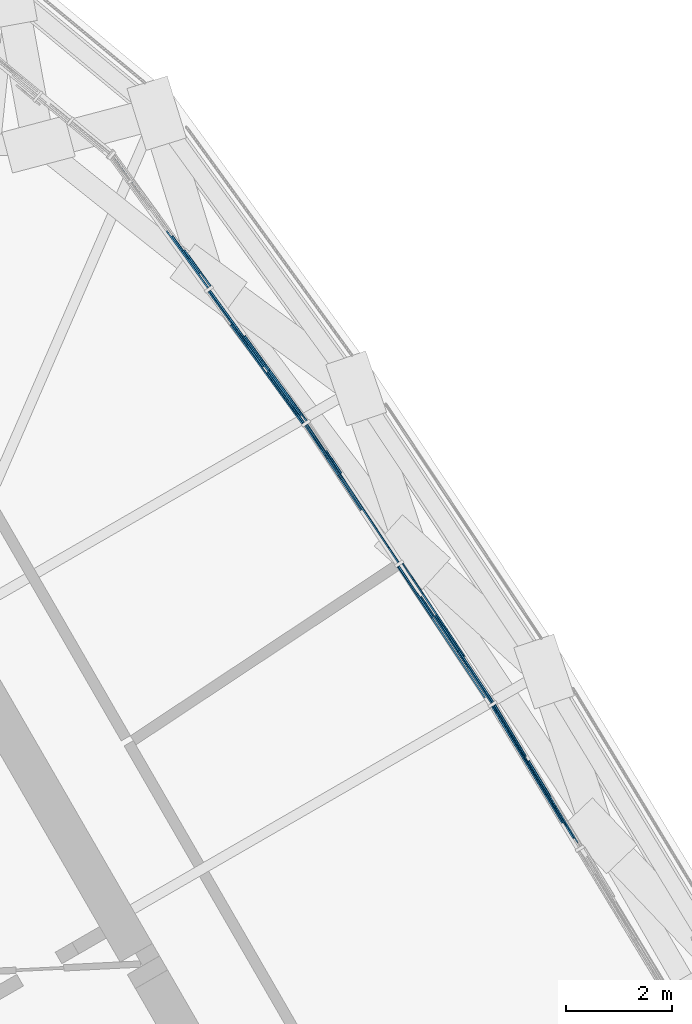
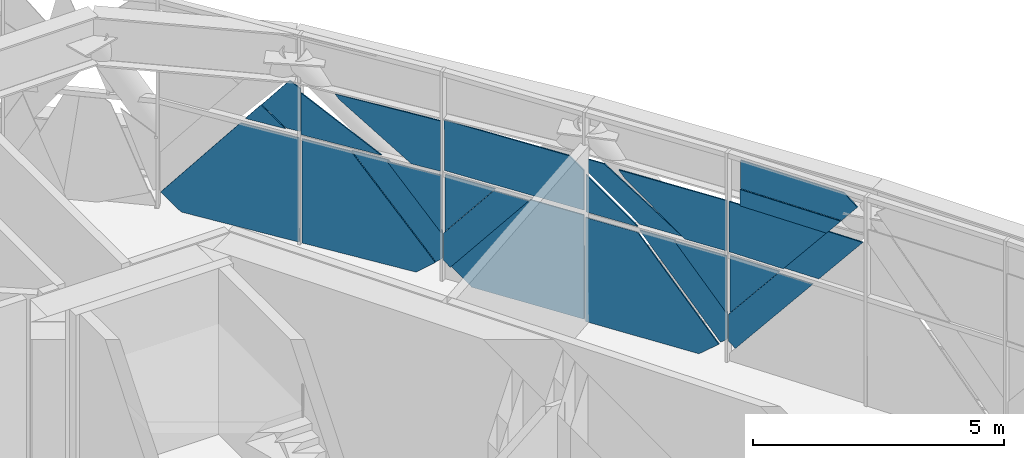
# One storey, part 15 of 33: 24 plates, 1 element without a shape of its own.
"""IFC4 building model written with IfcOpenShell, lengths in metres."""

from ifc_helpers import new_model, si_unit, direction, frame, origin, place, context, subcontext, project, spatial, polyline, outline, extrude, material, layer, layer_set, type_object, element, aggregate, save


model = new_model("IFC4")

# Units and contexts
model_context = context("Model", 3, precision=1e-05, world=origin(), true_north=direction((0.0, 1.0)))
body_context = subcontext(model_context, "Body", "Model", "MODEL_VIEW")
ifc_project = project(units=[si_unit("LENGTHUNIT", "METRE"), si_unit("AREAUNIT", "SQUARE_METRE"), si_unit("VOLUMEUNIT", "CUBIC_METRE"), si_unit("PLANEANGLEUNIT", "RADIAN"), si_unit("MASSUNIT", "GRAM", prefix="KILO")], contexts=[model_context])

# Site, building, storey
site_placement = place(None, origin())
site = spatial("IfcSite", under=ifc_project, at=site_placement, CompositionType="ELEMENT")
building_placement = place(site_placement, origin())
building = spatial("IfcBuilding", under=site, at=building_placement, Name="Mestral Congress Tower", CompositionType="ELEMENT")
storey_placement = place(building_placement, frame((0.0, 0.0, 256.199951171875)))
storey = spatial("IfcBuildingStorey", under=building, at=storey_placement, Name="L60", CompositionType="ELEMENT", Elevation=256.199951171875)

# Curtain wall, plates
ifc_material_1 = material(Name="Clear low-emissivity double glazing", Category="glass")
curtain_wall_type = type_object("IfcCurtainWallType", Name="Facade refuge band screen", PredefinedType="USERDEFINED", material=ifc_material_1)
curtain_wall_placement = place(storey_placement, origin())
curtain_wall = element("IfcCurtainWall", 1, at=curtain_wall_placement, inside=storey, type_object=curtain_wall_type, Name="Facade refuge band screen face 2", ObjectType="CURTAIN WALL", PredefinedType="USERDEFINED")
ifc_material_2 = material(Name="Anodised aluminium", Category="aluminium")
ifc_layer_1 = layer(ifc_material_2, 0.028076171875)
ifc_layer_set_1 = layer_set([ifc_layer_1], Name="Anodised aluminium")
plate_type_1 = type_object("IfcPlateType", Name="Facade refuge band screen brace cover panel", PredefinedType="CURTAIN_PANEL", material=ifc_layer_set_1)
plate_1_placement = place(storey_placement, frame((12.543701171875, 14.5400390625, 0.500732421875), z_axis=(0.855468885402, 0.517850307281, 0.002011307478), x_axis=(0.402388466371, -0.662275528447, -0.632040067204)))
plate_1 = element("IfcPlate", 2, at=plate_1_placement, type_object=plate_type_1, Name="Facade refuge band screen brace cover panel", PredefinedType="CURTAIN_PANEL", context=body_context, shape_type="SweptSolid", body=[
    extrude(outline(polyline([(0.0, 0.0), (0.20202131446251004, 0.0), (0.20353723412050861, -2.7975965706760926), (-0.40976849718347963, -2.297380961889893), (-0.41067221342230564, -0.5037091135801858), (0.0, 0.0)])), origin(), (0.0, 0.0, -1.0), 0.028076171875),
])
plate_2_placement = place(storey_placement, frame((13.64306640625, 12.839599609375, 2.66015625), z_axis=(0.855415667491, 0.517938299934, 0.001988283566), x_axis=(0.326330889631, -0.541934120156, 0.774477604508)))
plate_2 = element("IfcPlate", 3, at=plate_2_placement, type_object=plate_type_1, Name="Facade refuge band screen brace cover panel", PredefinedType="CURTAIN_PANEL", context=body_context, shape_type="SweptSolid", body=[
    extrude(outline(polyline([(0.0, 0.0), (1.5853049797422651, 0.0), (1.0846475386091394, -0.6129451105811656), (-0.5006574411331257, -0.6129451105811657), (0.0, 0.0)])), origin(), (0.0, 0.0, -1.0), 0.028076171875),
])
plate_3_placement = place(storey_placement, frame((11.4775390625, 16.25390625, 2.5400390625), z_axis=(0.833299542627, 0.552817658988, 0.002123244836), x_axis=(0.355005537149, -0.53217185776, -0.76861185419)))
plate_3 = element("IfcPlate", 4, at=plate_3_placement, type_object=plate_type_1, Name="Facade refuge band screen brace cover panel", PredefinedType="CURTAIN_PANEL", context=body_context, shape_type="SweptSolid", body=[
    extrude(outline(polyline([(0.0, 0.0), (2.8272990812358643, 0.0), (2.827284346185704, -0.194619273714008), (2.3271551705192346, -0.6107904293610096), (0.5082775975526703, -0.6106940634626287), (0.0, 0.0)])), origin(), (0.0, 0.0, -1.0), 0.028076171875),
])
plate_4_placement = place(storey_placement, frame((10.78564453125, 17.18408203125, 2.66015625), z_axis=(0.833217558512, 0.552941941417, 0.001926034486), x_axis=(0.552942967019, -0.833219103972, 0.0)))
plate_4 = element("IfcPlate", 5, at=plate_4_placement, type_object=plate_type_1, Name="Facade refuge band screen brace cover panel", PredefinedType="CURTAIN_PANEL", context=body_context, shape_type="SweptSolid", body=[
    extrude(outline(polyline([(0.0, 0.0), (1.155041140034202, -2.168404344971009e-19), (3.7154818777285513e-06, -0.9140641954118832), (0.0, 0.0)])), origin(), (0.0, 0.0, -1.0), 0.028076171875),
])
plate_5_placement = place(storey_placement, frame((10.858642578125, 17.232421875, 3.887939453125), z_axis=(0.833310518266, 0.552801054143, 0.002138851483), x_axis=(0.001540983078, 0.001546178273, -0.999997617349)))
plate_5 = element("IfcPlate", 6, at=plate_5_placement, type_object=plate_type_1, Name="Facade refuge band screen brace cover panel", PredefinedType="CURTAIN_PANEL", context=body_context, shape_type="SweptSolid", body=[
    extrude(outline(polyline([(0.0, 0.0), (0.3137214630410916, 0.0), (1.2272816893463578, -1.1554360728155078), (1.2268675063393875, -2.1040895493787413), (-0.00015731374125679126, -0.36036641437156613), (0.0, 0.0)])), origin(), (0.0, 0.0, -1.0), 0.028076171875),
])
plate_6_placement = place(storey_placement, frame((11.285888671875, 16.484130859375, 3.710693359375), z_axis=(0.833214105474, 0.552947111987, 0.001935403091), x_axis=(0.434609263748, -0.65272350804, -0.620537516929)))
plate_6 = element("IfcPlate", 7, at=plate_6_placement, type_object=plate_type_1, Name="Facade refuge band screen brace cover panel", PredefinedType="CURTAIN_PANEL", context=body_context, shape_type="SweptSolid", body=[
    extrude(outline(polyline([(0.0, 0.0), (1.6929472299001196, -2.220446049250313e-16), (2.4210878740997086, -0.5761965998114164), (1.6593096256386812, -1.5390836392813467), (-0.22568951786867109, -0.047434713515503726), (0.0, 0.0)])), origin(), (0.0, 0.0, -1.0), 0.028076171875),
])
plate_7_placement = place(storey_placement, frame((9.026611328125, 19.828369140625, 0.492919921875), z_axis=(0.833285459887, 0.552839737668, 0.001888596155), x_axis=(0.430891195353, -0.647326751817, -0.628729555651)))
plate_7 = element("IfcPlate", 8, at=plate_7_placement, type_object=plate_type_1, Name="Facade refuge band screen brace cover panel", PredefinedType="CURTAIN_PANEL", context=body_context, shape_type="SweptSolid", body=[
    extrude(outline(polyline([(0.0, 0.0), (0.19609538333516058, 0.0), (0.19562666558929598, -2.7907085649125616), (-0.41443285694793963, -2.297457538025765), (-0.4143441275449623, -0.5123641223830636), (0.0, 0.0)])), origin(), (0.0, 0.0, -1.0), 0.028076171875),
])
plate_8_placement = place(storey_placement, frame((9.05810546875, 19.84912109375, 2.66015625), z_axis=(0.833252884148, 0.5528887247, 0.001920718273), x_axis=(0.55288974442, -0.833254421239, 8.1151e-08)))
plate_8 = element("IfcPlate", 9, at=plate_8_placement, type_object=plate_type_1, Name="Facade refuge band screen brace cover panel", PredefinedType="CURTAIN_PANEL", context=body_context, shape_type="SweptSolid", body=[
    extrude(outline(polyline([(0.0, 0.0), (3.1159303726830183, 0.0), (3.115934278638139, -0.9614273892827793), (2.7792683236128006, -1.2277852329378873), (-0.0001975897177254701, -1.2277857513226902), (0.0, 0.0)])), origin(), (0.0, 0.0, -1.0), 0.028076171875),
])
plate_9_placement = place(storey_placement, frame((7.885498046875, 21.519775390625, 2.5400390625), z_axis=(0.809563093228, 0.587029666498, 0.00194132285), x_axis=(0.379200325234, -0.520418827211, -0.765095652599)))
plate_9 = element("IfcPlate", 10, at=plate_9_placement, type_object=plate_type_1, Name="Facade refuge band screen brace cover panel", PredefinedType="CURTAIN_PANEL", context=body_context, shape_type="SweptSolid", body=[
    extrude(outline(polyline([(0.0, 0.0), (2.856248254282847, -4.440892098500626e-16), (2.8563482671558518, -0.1843868385891032), (2.3454859247049895, -0.6143604487237234), (0.516989928238058, -0.614284888617695), (0.0, 0.0)])), origin(), (0.0, 0.0, -1.0), 0.028076171875),
])
plate_10_placement = place(storey_placement, frame((8.234619140625, 20.935546875, 2.66015625), z_axis=(0.809636831507, 0.586927508682, 0.002073793482), x_axis=(-0.50905098903, 0.700442583343, 0.500247216891)))
plate_10 = element("IfcPlate", 11, at=plate_10_placement, type_object=plate_type_1, Name="Facade refuge band screen brace cover panel", PredefinedType="CURTAIN_PANEL", context=body_context, shape_type="SweptSolid", body=[
    extrude(outline(polyline([(0.0, 0.0), (2.0243896983438368, -1.1102230246251565e-16), (1.5177767589708457, -0.8768691671868982), (0.0, 0.0)])), origin(), (0.0, 0.0, -1.0), 0.028076171875),
])
plate_11_placement = place(storey_placement, frame((7.67724609375, 21.6494140625, 3.775634765625), z_axis=(0.809565598887, 0.587025913227, 0.00202935916), x_axis=(0.479753272824, -0.659626148622, -0.578558675735)))
plate_11 = element("IfcPlate", 12, at=plate_11_placement, type_object=plate_type_1, Name="Facade refuge band screen brace cover panel", PredefinedType="CURTAIN_PANEL", context=body_context, shape_type="SweptSolid", body=[
    extrude(outline(polyline([(0.0, 0.0), (1.9280303584808216, -1.1102230246251565e-16), (2.445759005253223, -0.3672419095180901), (1.7354436122938242, -1.368695649993462), (-0.1420858695216715, -0.03690316130063921), (0.0, 0.0)])), origin(), (0.0, 0.0, -1.0), 0.028076171875),
])
ifc_layer_2 = layer(ifc_material_1, 0.028076171875)
ifc_layer_set_2 = layer_set([ifc_layer_2], Name="Clear low-emissivity double glazing")
plate_type_2 = type_object("IfcPlateType", Name="Facade refuge band screen panel", PredefinedType="CURTAIN_PANEL", material=ifc_layer_set_2)
plate_12_placement = place(storey_placement, frame((12.59521484375, 14.571044921875, 2.5400390625), z_axis=(0.855491010006, 0.517814181151, 0.001898841008), x_axis=(0.001581441529, 0.001054294353, -0.999998193751)))
plate_12 = element("IfcPlate", 13, at=plate_12_placement, type_object=plate_type_2, Name="Refuge screen glass unit", PredefinedType="CURTAIN_PANEL", context=body_context, shape_type="SweptSolid", body=[
    extrude(outline(polyline([(0.0, 0.0), (1.3894068064890688, -2.439454888092385e-19), (-9.420696610628547e-05, -1.1343862415078019), (0.0, 0.0)])), origin(), (0.0, 0.0, -1.0), 0.028076171875),
])
plate_13_placement = place(storey_placement, frame((13.205810546875, 13.5, 2.66015625), z_axis=(0.855434338982, 0.517907407206, 0.002002311368), x_axis=(0.326236143186, -0.541843094618, 0.774581202776)))
plate_13 = element("IfcPlate", 14, at=plate_13_placement, type_object=plate_type_2, Name="Refuge screen glass unit", PredefinedType="CURTAIN_PANEL", context=body_context, shape_type="SweptSolid", body=[
    extrude(outline(polyline([(0.0, 0.0), (1.5850930241441819, -1.1102230246251565e-16), (0.17155327101927775, -1.731147731564283), (-0.7796210547087906, -0.954794103649633), (0.0, 0.0)])), origin(), (0.0, 0.0, -1.0), 0.028076171875),
])
plate_14_placement = place(storey_placement, frame((12.67529296875, 14.313720703125, 3.887939453125), z_axis=(0.855467986296, 0.517850904559, 0.002228243671), x_axis=(0.517852190173, -0.855470110017, -1.3779e-08)))
plate_14 = element("IfcPlate", 15, at=plate_14_placement, type_object=plate_type_2, Name="Refuge screen glass unit", PredefinedType="CURTAIN_PANEL", context=body_context, shape_type="SweptSolid", body=[
    extrude(outline(polyline([(0.0, 0.0), (1.9734631540121752, 6.505213034913027e-19), (2.3002556844871243, -0.40014750945169747), (3.841822892629731e-05, -0.40014745056437384), (0.0, 0.0)])), origin(), (0.0, 0.0, -1.0), 0.028076171875),
])
plate_15_placement = place(storey_placement, frame((12.70068359375, 14.3291015625, 4.97998046875), z_axis=(0.855474400363, 0.517841076852, 0.002041922404), x_axis=(0.001750978856, 0.001050516431, -0.999997915242)))
plate_15 = element("IfcPlate", 16, at=plate_15_placement, type_object=plate_type_2, Name="Refuge screen glass unit", PredefinedType="CURTAIN_PANEL", context=body_context, shape_type="SweptSolid", body=[
    extrude(outline(polyline([(0.0, 0.0), (0.6918959956638914, -1.5246593050577406e-19), (0.6919145170018856, -2.30021726616855), (0.25295155062446795, -2.658666974544822), (1.8951764949900855e-05, -2.3487447791929745), (0.0, 0.0)])), origin(), (0.0, 0.0, -1.0), 0.028076171875),
])
plate_16_placement = place(storey_placement, frame((10.767578125, 17.172119140625, 2.5400390625), z_axis=(0.833272770343, 0.552858302501, 0.002046353079), x_axis=(0.001717533536, 0.001112717062, -0.999997905967)))
plate_16 = element("IfcPlate", 17, at=plate_16_placement, type_object=plate_type_2, Name="Refuge screen glass unit", PredefinedType="CURTAIN_PANEL", context=body_context, shape_type="SweptSolid", body=[
    extrude(outline(polyline([(0.0, 0.0), (2.540043860264449, 4.946672411965114e-19), (2.540100936307565, -2.5254758676923363), (2.1731661776619378, -2.966362942278026), (2.5710519471531298e-05, -1.1575469366668578), (0.0, 0.0)])), origin(), (0.0, 0.0, -1.0), 0.028076171875),
])
plate_17_placement = place(storey_placement, frame((12.535400390625, 14.605712890625, 2.5400390625), z_axis=(0.83314463468, 0.553051940825, 0.001889034816), x_axis=(-0.553052927598, 0.833146121203, 0.0)))
plate_17 = element("IfcPlate", 18, at=plate_17_placement, type_object=plate_type_2, Name="Refuge screen glass unit", PredefinedType="CURTAIN_PANEL", context=body_context, shape_type="SweptSolid", body=[
    extrude(outline(polyline([(0.0, 0.0), (1.1636403233507502, 2.168404344971009e-19), (5.224701864561766e-06, -1.3979517130143935), (0.0, 0.0)])), origin(), (0.0, 0.0, -1.0), 0.028076171875),
])
plate_18_placement = place(storey_placement, frame((9.083251953125, 19.865966796875, 2.5400390625), z_axis=(0.833285178604, 0.552840114578, 0.001902322774), x_axis=(0.001582832169, 0.001055221446, -0.999998190573)))
plate_18 = element("IfcPlate", 19, at=plate_18_placement, type_object=plate_type_2, Name="Refuge screen glass unit", PredefinedType="CURTAIN_PANEL", context=body_context, shape_type="SweptSolid", body=[
    extrude(outline(polyline([(0.0, 0.0), (1.3881861055709008, -1.9905274260476058e-19), (-4.766014832966034e-06, -1.1221331254160654), (0.0, 0.0)])), origin(), (0.0, 0.0, -1.0), 0.028076171875),
])
plate_19_placement = place(storey_placement, frame((9.3994140625, 19.343994140625, 0.0), z_axis=(0.833239090981, 0.55290940581, 0.001950955928), x_axis=(0.552910458196, -0.833240676646, -8.1902e-08)))
plate_19 = element("IfcPlate", 20, at=plate_19_placement, type_object=plate_type_2, Name="Refuge screen glass unit", PredefinedType="CURTAIN_PANEL", context=body_context, shape_type="SweptSolid", body=[
    extrude(outline(polyline([(0.0, 0.0), (2.5061101728695623, 0.0), (2.506256305246975, -2.5400441357283348), (1.2971124802814749, -2.5400438230783515), (-0.45726157092255626, -0.36962955446451895), (0.0, 0.0)])), origin(), (0.0, 0.0, -1.0), 0.028076171875),
])
plate_20_placement = place(storey_placement, frame((7.230224609375, 22.372314453125, 2.5400390625), z_axis=(0.809590117815, 0.586992046534, 0.00204412384), x_axis=(0.001624111521, 0.00124235913, -0.999997909401)))
plate_20 = element("IfcPlate", 21, at=plate_20_placement, type_object=plate_type_2, Name="Refuge screen glass unit", PredefinedType="CURTAIN_PANEL", context=body_context, shape_type="SweptSolid", body=[
    extrude(outline(polyline([(0.0, 0.0), (2.540044436027425, -5.963111948670274e-19), (2.539913566832151, -2.492660294312092), (2.185154522390181, -2.914045282429032), (-5.641205305706226e-05, -1.0747499558594902), (0.0, 0.0)])), origin(), (0.0, 0.0, -1.0), 0.028076171875),
])
plate_21_placement = place(storey_placement, frame((8.99951171875, 19.88134765625, 2.5400390625), z_axis=(0.809621157998, 0.586949423378, 0.001988697449), x_axis=(-0.58695058405, 0.809622758995, 0.0)))
plate_21 = element("IfcPlate", 22, at=plate_21_placement, type_object=plate_type_2, Name="Refuge screen glass unit", PredefinedType="CURTAIN_PANEL", context=body_context, shape_type="SweptSolid", body=[
    extrude(outline(polyline([(0.0, 0.0), (1.1775473577447961, 0.0), (9.39463028603732e-05, -1.3989285475762643), (0.0, 0.0)])), origin(), (0.0, 0.0, -1.0), 0.028076171875),
])
plate_22_placement = place(storey_placement, frame((5.68359375, 24.51416015625, 0.0), z_axis=(0.809577610155, 0.587009451195, 0.00199933581), x_axis=(0.587010624581, -0.809579228136, -8.8839e-08)))
plate_22 = element("IfcPlate", 23, at=plate_22_placement, type_object=plate_type_2, Name="Refuge screen glass unit", PredefinedType="CURTAIN_PANEL", context=body_context, shape_type="SweptSolid", body=[
    extrude(outline(polyline([(0.0, 0.0), (2.5817797191088236, 4.336808689942018e-19), (2.581912635384329, -2.5400444286147765), (1.296147091109164, -2.540044019609039), (-0.4477516087830822, -0.35815500524541943), (0.0, 0.0)])), origin(), (0.0, 0.0, -1.0), 0.028076171875),
])
plate_23_placement = place(storey_placement, frame((7.035888671875, 22.69091796875, 2.66015625), z_axis=(0.809671859168, 0.586879980366, 0.001835515686), x_axis=(-0.460080993604, 0.632789416125, 0.622818620598)))
plate_23 = element("IfcPlate", 24, at=plate_23_placement, type_object=plate_type_2, Name="Refuge screen glass unit", PredefinedType="CURTAIN_PANEL", context=body_context, shape_type="SweptSolid", body=[
    extrude(outline(polyline([(0.0, 0.0), (0.6855959969769819, 0.0), (0.6867238493274633, -0.5466820326561967), (0.0, 0.0)])), origin(), (0.0, 0.0, -1.0), 0.028076171875),
])
plate_24_placement = place(storey_placement, frame((7.10498046875, 22.642822265625, 3.841796875), z_axis=(0.809507808348, 0.587105644342, 0.002017574037), x_axis=(-0.365291127166, 0.506351826401, -0.781133932379)))
plate_24 = element("IfcPlate", 25, at=plate_24_placement, type_object=plate_type_2, Name="Refuge screen glass unit", PredefinedType="CURTAIN_PANEL", context=body_context, shape_type="SweptSolid", body=[
    extrude(outline(polyline([(0.0, 0.0), (0.9738948229747103, 0.0), (0.9725940308323783, -0.675754814594356), (0.7778830606485898, -0.9193567729700481), (-0.04024176629219074, -0.26541027590151456), (0.0, 0.0)])), origin(), (0.0, 0.0, -1.0), 0.028076171875),
])
aggregate(curtain_wall, [plate_12, plate_1, plate_13, plate_14, plate_15, plate_2, plate_16, plate_17, plate_3, plate_4, plate_5, plate_6, plate_18, plate_19, plate_7, plate_8, plate_20, plate_21, plate_9, plate_10, plate_11, plate_22, plate_23, plate_24])

save(model, "model.ifc")
